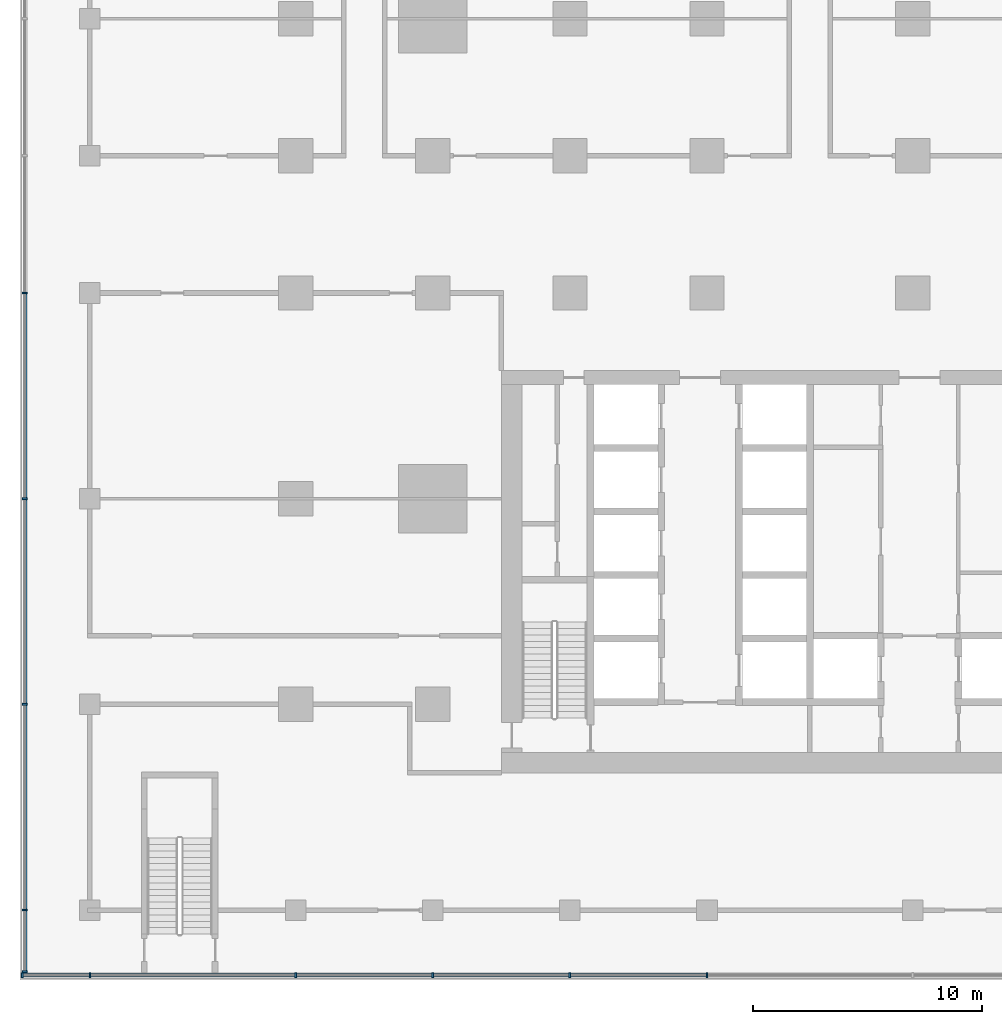
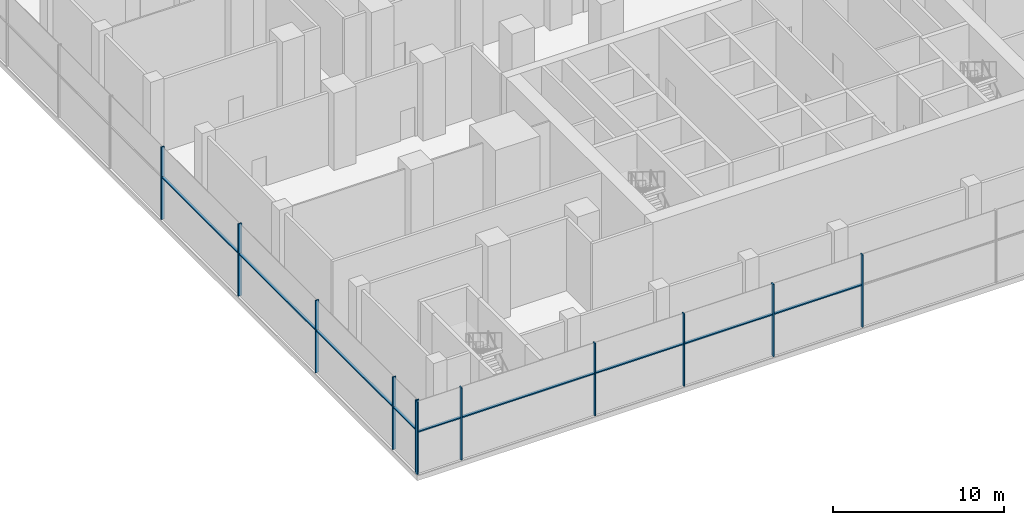
# One storey, part 2 of 22: 20 members, 2 elements without a shape of their own.
"""IFC4 building model written with IfcOpenShell, lengths in metres."""

from ifc_helpers import new_model, si_unit, direction, frame, origin, origin_2d, place, context, subcontext, project, spatial, rectangle, extrude, material, material_profile, profile_set, type_object, element, aggregate, save


model = new_model("IFC4")

# Units and contexts
model_context = context("Model", 3, precision=1e-05, world=origin(), true_north=direction((0.0, 1.0)))
body_context = subcontext(model_context, "Body", "Model", "MODEL_VIEW")
ifc_project = project(units=[si_unit("LENGTHUNIT", "METRE"), si_unit("AREAUNIT", "SQUARE_METRE"), si_unit("VOLUMEUNIT", "CUBIC_METRE"), si_unit("PLANEANGLEUNIT", "RADIAN"), si_unit("MASSUNIT", "GRAM", prefix="KILO")], contexts=[model_context])

# Site, building, storey
site_placement = place(None, origin())
site = spatial("IfcSite", under=ifc_project, at=site_placement, CompositionType="ELEMENT")
building_placement = place(site_placement, origin())
building = spatial("IfcBuilding", under=site, at=building_placement, Name="Finial Court Residences", CompositionType="ELEMENT")
storey_placement = place(building_placement, frame((0.0, 0.0, 8.0)))
storey = spatial("IfcBuildingStorey", under=building, at=storey_placement, Name="L01", CompositionType="ELEMENT", Elevation=8.0)

# Curtain wall, members
ifc_material = material(Name="Bronze anodised aluminium", Category="aluminium")
curtain_wall_type = type_object("IfcCurtainWallType", Name="Podium curtain wall", PredefinedType="NOTDEFINED", material=ifc_material)
curtain_wall_1_placement = place(storey_placement, origin())
curtain_wall_1 = element("IfcCurtainWall", 1, at=curtain_wall_1_placement, inside=storey, type_object=curtain_wall_type, Name="E-L01-CW-S3", PredefinedType="NOTDEFINED")
ifc_material_profile_1 = material_profile(ifc_material, rectangle(XDim=0.22509765625, YDim=0.080078125, at=origin_2d()), Name="CW5 mullion 80 x 225")
ifc_profile_set_1 = profile_set([ifc_material_profile_1], Name="Bronze anodised aluminium")
member_type_1 = type_object("IfcMemberType", Name="CW5 mullion 80 x 225", PredefinedType="MULLION", material=ifc_profile_set_1)
member_1_placement = place(storey_placement, frame((-34.4599609375, -34.35009765625, 0.0), z_axis=(0.0, 0.0, 1.0), x_axis=(0.0, 1.0, 0.0)))
member_1 = element("IfcMember", 2, at=member_1_placement, type_object=member_type_1, Name="CW5 mullion 1", PredefinedType="MULLION", context=body_context, shape_type="SweptSolid", body=[
    extrude(rectangle(XDim=0.22509765625, YDim=0.080078125, at=origin_2d()), origin(), (0.0, 0.0, 1.0), 5.14990234375),
])
member_2_placement = place(storey_placement, frame((-31.5, -34.35009765625, 0.0), z_axis=(0.0, 0.0, 1.0), x_axis=(0.0, 1.0, 0.0)))
member_2 = element("IfcMember", 3, at=member_2_placement, type_object=member_type_1, Name="CW5 mullion 2", PredefinedType="MULLION", context=body_context, shape_type="SweptSolid", body=[
    extrude(rectangle(XDim=0.22509765625, YDim=0.080078125, at=origin_2d()), origin(), (0.0, 0.0, 1.0), 5.14990234375),
])
member_3_placement = place(storey_placement, frame((-22.5, -34.35009765625, 0.0), z_axis=(0.0, 0.0, 1.0), x_axis=(0.0, 1.0, 0.0)))
member_3 = element("IfcMember", 4, at=member_3_placement, type_object=member_type_1, Name="CW5 mullion 3", PredefinedType="MULLION", context=body_context, shape_type="SweptSolid", body=[
    extrude(rectangle(XDim=0.22509765625, YDim=0.080078125, at=origin_2d()), origin(), (0.0, 0.0, 1.0), 5.14990234375),
])
member_4_placement = place(storey_placement, frame((-16.5, -34.35009765625, 0.0), z_axis=(0.0, 0.0, 1.0), x_axis=(0.0, 1.0, 0.0)))
member_4 = element("IfcMember", 5, at=member_4_placement, type_object=member_type_1, Name="CW5 mullion 4", PredefinedType="MULLION", context=body_context, shape_type="SweptSolid", body=[
    extrude(rectangle(XDim=0.22509765625, YDim=0.080078125, at=origin_2d()), origin(), (0.0, 0.0, 1.0), 5.14990234375),
])
member_5_placement = place(storey_placement, frame((-10.5, -34.35009765625, 0.0), z_axis=(0.0, 0.0, 1.0), x_axis=(0.0, 1.0, 0.0)))
member_5 = element("IfcMember", 6, at=member_5_placement, type_object=member_type_1, Name="CW5 mullion 5", PredefinedType="MULLION", context=body_context, shape_type="SweptSolid", body=[
    extrude(rectangle(XDim=0.22509765625, YDim=0.080078125, at=origin_2d()), origin(), (0.0, 0.0, 1.0), 5.14990234375),
])
member_6_placement = place(storey_placement, frame((-4.5, -34.35009765625, 0.0), z_axis=(0.0, 0.0, 1.0), x_axis=(0.0, 1.0, 0.0)))
member_6 = element("IfcMember", 7, at=member_6_placement, type_object=member_type_1, Name="CW5 mullion 6", PredefinedType="MULLION", context=body_context, shape_type="SweptSolid", body=[
    extrude(rectangle(XDim=0.22509765625, YDim=0.080078125, at=origin_2d()), origin(), (0.0, 0.0, 1.0), 5.14990234375),
])

curtain_wall_2_placement = place(storey_placement, origin())
curtain_wall_2 = element("IfcCurtainWall", 8, at=curtain_wall_2_placement, inside=storey, type_object=curtain_wall_type, Name="E-L01-CW-W4", PredefinedType="NOTDEFINED")
member_7_placement = place(storey_placement, frame((-34.35009765625, -34.197509765625, 0.0), z_axis=(0.0, 0.0, 1.0), x_axis=(-1.0, 0.0, 0.0)))
member_7 = element("IfcMember", 9, at=member_7_placement, type_object=member_type_1, Name="CW5 mullion 1", PredefinedType="MULLION", context=body_context, shape_type="SweptSolid", body=[
    extrude(rectangle(XDim=0.22509765625, YDim=0.080078125, at=origin_2d()), origin(), (0.0, 0.0, 1.0), 5.14990234375),
])
member_8_placement = place(storey_placement, frame((-34.35009765625, -31.5, 0.0), z_axis=(0.0, 0.0, 1.0), x_axis=(-1.0, 0.0, 0.0)))
member_8 = element("IfcMember", 10, at=member_8_placement, type_object=member_type_1, Name="CW5 mullion 2", PredefinedType="MULLION", context=body_context, shape_type="SweptSolid", body=[
    extrude(rectangle(XDim=0.22509765625, YDim=0.080078125, at=origin_2d()), origin(), (0.0, 0.0, 1.0), 5.14990234375),
])
member_9_placement = place(storey_placement, frame((-34.35009765625, -22.5, 0.0), z_axis=(0.0, 0.0, 1.0), x_axis=(-1.0, 0.0, 0.0)))
member_9 = element("IfcMember", 11, at=member_9_placement, type_object=member_type_1, Name="CW5 mullion 3", PredefinedType="MULLION", context=body_context, shape_type="SweptSolid", body=[
    extrude(rectangle(XDim=0.22509765625, YDim=0.080078125, at=origin_2d()), origin(), (0.0, 0.0, 1.0), 5.14990234375),
])
member_10_placement = place(storey_placement, frame((-34.35009765625, -13.5, 0.0), z_axis=(0.0, 0.0, 1.0), x_axis=(-1.0, 0.0, 0.0)))
member_10 = element("IfcMember", 12, at=member_10_placement, type_object=member_type_1, Name="CW5 mullion 4", PredefinedType="MULLION", context=body_context, shape_type="SweptSolid", body=[
    extrude(rectangle(XDim=0.22509765625, YDim=0.080078125, at=origin_2d()), origin(), (0.0, 0.0, 1.0), 5.14990234375),
])
member_11_placement = place(storey_placement, frame((-34.35009765625, -4.5, 0.0), z_axis=(0.0, 0.0, 1.0), x_axis=(-1.0, 0.0, 0.0)))
member_11 = element("IfcMember", 13, at=member_11_placement, type_object=member_type_1, Name="CW5 mullion 5", PredefinedType="MULLION", context=body_context, shape_type="SweptSolid", body=[
    extrude(rectangle(XDim=0.22509765625, YDim=0.080078125, at=origin_2d()), origin(), (0.0, 0.0, 1.0), 5.14990234375),
])

# Member
ifc_material_profile_2 = material_profile(ifc_material, rectangle(XDim=0.175048828125, YDim=0.080078125, at=origin_2d()), Name="CW5 transom 80 x 175")
ifc_profile_set_2 = profile_set([ifc_material_profile_2], Name="Bronze anodised aluminium")
member_type_2 = type_object("IfcMemberType", Name="CW5 transom 80 x 175", PredefinedType="USERDEFINED", material=ifc_profile_set_2)
member_12_placement = place(storey_placement, frame((-34.419921875, -34.35009765625, 3.0), z_axis=(1.0, 0.0, 0.0), x_axis=(0.0, 1.0, 0.0)))
member_12 = element("IfcMember", 14, at=member_12_placement, type_object=member_type_2, Name="CW5 transom 1.1", ObjectType="TRANSOM", PredefinedType="USERDEFINED", context=body_context, shape_type="SweptSolid", body=[
    extrude(rectangle(XDim=0.175048828125, YDim=0.080078125, at=origin_2d()), origin(), (0.0, 0.0, 1.0), 2.8798828125),
])

member_13_placement = place(storey_placement, frame((-31.4599609375, -34.35009765625, 3.0), z_axis=(1.0, 0.0, 0.0), x_axis=(0.0, 1.0, 0.0)))
member_13 = element("IfcMember", 15, at=member_13_placement, type_object=member_type_2, Name="CW5 transom 2.1", ObjectType="TRANSOM", PredefinedType="USERDEFINED", context=body_context, shape_type="SweptSolid", body=[
    extrude(rectangle(XDim=0.175048828125, YDim=0.080078125, at=origin_2d()), origin(), (0.0, 0.0, 1.0), 8.919921875),
])

member_14_placement = place(storey_placement, frame((-22.4599609375, -34.35009765625, 3.0), z_axis=(1.0, 0.0, 0.0), x_axis=(0.0, 1.0, 0.0)))
member_14 = element("IfcMember", 16, at=member_14_placement, type_object=member_type_2, Name="CW5 transom 3.1", ObjectType="TRANSOM", PredefinedType="USERDEFINED", context=body_context, shape_type="SweptSolid", body=[
    extrude(rectangle(XDim=0.175048828125, YDim=0.080078125, at=origin_2d()), origin(), (0.0, 0.0, 1.0), 5.919921875),
])

member_15_placement = place(storey_placement, frame((-16.4599609375, -34.35009765625, 3.0), z_axis=(1.0, 0.0, 0.0), x_axis=(0.0, 1.0, 0.0)))
member_15 = element("IfcMember", 17, at=member_15_placement, type_object=member_type_2, Name="CW5 transom 4.1", ObjectType="TRANSOM", PredefinedType="USERDEFINED", context=body_context, shape_type="SweptSolid", body=[
    extrude(rectangle(XDim=0.175048828125, YDim=0.080078125, at=origin_2d()), origin(), (0.0, 0.0, 1.0), 5.919921875),
])

member_16_placement = place(storey_placement, frame((-10.4599609375, -34.35009765625, 3.0), z_axis=(1.0, 0.0, 0.0), x_axis=(0.0, 1.0, 0.0)))
member_16 = element("IfcMember", 18, at=member_16_placement, type_object=member_type_2, Name="CW5 transom 5.1", ObjectType="TRANSOM", PredefinedType="USERDEFINED", context=body_context, shape_type="SweptSolid", body=[
    extrude(rectangle(XDim=0.175048828125, YDim=0.080078125, at=origin_2d()), origin(), (0.0, 0.0, 1.0), 5.919921875),
])

aggregate(curtain_wall_1, [member_1, member_2, member_3, member_4, member_5, member_6, member_12, member_13, member_14, member_15, member_16])

member_17_placement = place(storey_placement, frame((-34.35009765625, -34.157470703125, 3.0), z_axis=(0.0, 1.0, 0.0), x_axis=(-1.0, 0.0, 0.0)))
member_17 = element("IfcMember", 19, at=member_17_placement, type_object=member_type_2, Name="CW5 transom 1.1", ObjectType="TRANSOM", PredefinedType="USERDEFINED", context=body_context, shape_type="SweptSolid", body=[
    extrude(rectangle(XDim=0.175048828125, YDim=0.080078125, at=origin_2d()), origin(), (0.0, 0.0, 1.0), 2.617431640625),
])

member_18_placement = place(storey_placement, frame((-34.35009765625, -31.4599609375, 3.0), z_axis=(0.0, 1.0, 0.0), x_axis=(-1.0, 0.0, 0.0)))
member_18 = element("IfcMember", 20, at=member_18_placement, type_object=member_type_2, Name="CW5 transom 2.1", ObjectType="TRANSOM", PredefinedType="USERDEFINED", context=body_context, shape_type="SweptSolid", body=[
    extrude(rectangle(XDim=0.175048828125, YDim=0.080078125, at=origin_2d()), origin(), (0.0, 0.0, 1.0), 8.919921875),
])

member_19_placement = place(storey_placement, frame((-34.35009765625, -22.4599609375, 3.0), z_axis=(0.0, 1.0, 0.0), x_axis=(-1.0, 0.0, 0.0)))
member_19 = element("IfcMember", 21, at=member_19_placement, type_object=member_type_2, Name="CW5 transom 3.1", ObjectType="TRANSOM", PredefinedType="USERDEFINED", context=body_context, shape_type="SweptSolid", body=[
    extrude(rectangle(XDim=0.175048828125, YDim=0.080078125, at=origin_2d()), origin(), (0.0, 0.0, 1.0), 8.919921875),
])

member_20_placement = place(storey_placement, frame((-34.35009765625, -13.4599609375, 3.0), z_axis=(0.0, 1.0, 0.0), x_axis=(-1.0, 0.0, 0.0)))
member_20 = element("IfcMember", 22, at=member_20_placement, type_object=member_type_2, Name="CW5 transom 4.1", ObjectType="TRANSOM", PredefinedType="USERDEFINED", context=body_context, shape_type="SweptSolid", body=[
    extrude(rectangle(XDim=0.175048828125, YDim=0.080078125, at=origin_2d()), origin(), (0.0, 0.0, 1.0), 8.919921875),
])

aggregate(curtain_wall_2, [member_7, member_8, member_9, member_10, member_11, member_17, member_18, member_19, member_20])

save(model, "model.ifc")
